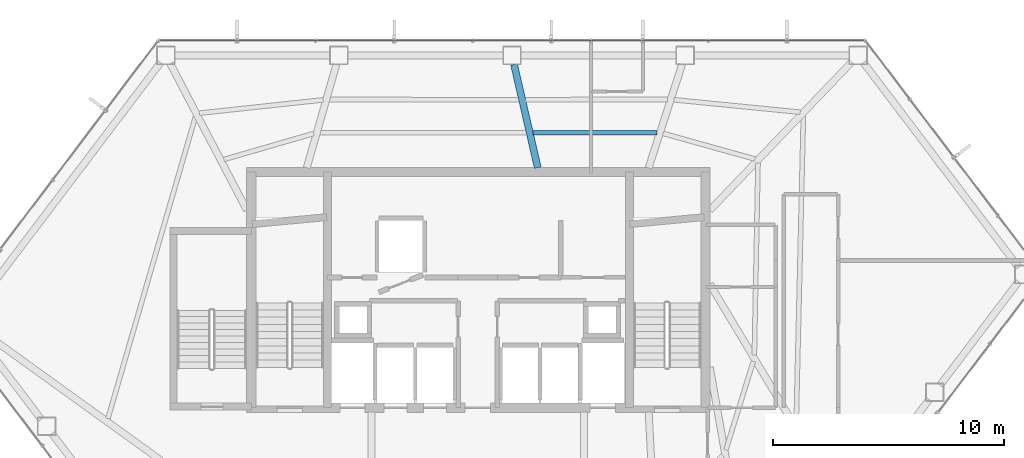
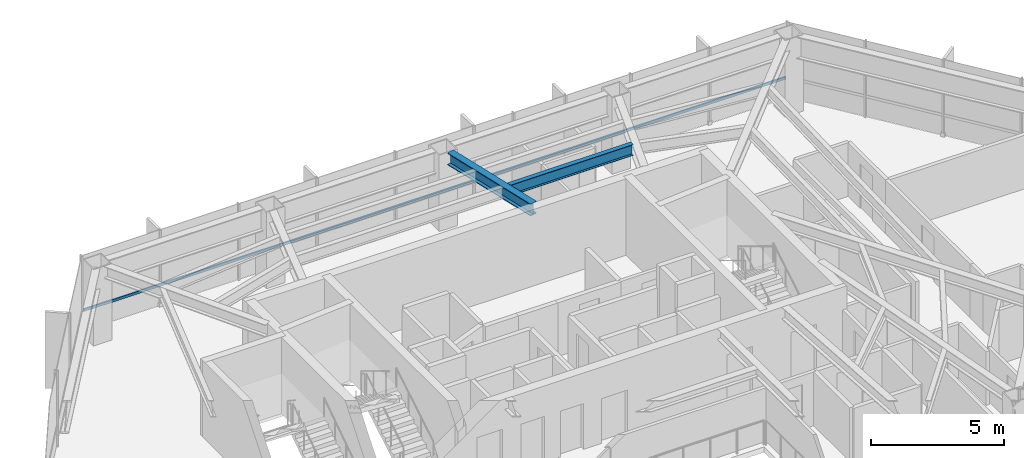
# One storey, part 15 of 29: 2 beams, 1 member, 1 element without a shape of its own.
"""IFC4 building model written with IfcOpenShell, lengths in metres."""

from ifc_helpers import new_model, si_unit, direction, frame, origin, origin_2d, place, context, subcontext, project, spatial, hollow_rectangle, i_section, extrude, material, layer, layer_set, material_profile, profile_set, type_object, element, aggregate, save


model = new_model("IFC4")

# Units and contexts
model_context = context("Model", 3, precision=1e-05, world=origin(), true_north=direction((0.0, 1.0)))
body_context = subcontext(model_context, "Body", "Model", "MODEL_VIEW")
ifc_project = project(units=[si_unit("LENGTHUNIT", "METRE"), si_unit("AREAUNIT", "SQUARE_METRE"), si_unit("VOLUMEUNIT", "CUBIC_METRE"), si_unit("PLANEANGLEUNIT", "RADIAN"), si_unit("MASSUNIT", "GRAM", prefix="KILO")], contexts=[model_context])

# Site, building, storey
site_placement = place(None, origin())
site = spatial("IfcSite", under=ifc_project, at=site_placement, CompositionType="ELEMENT")
building_placement = place(site_placement, origin())
building = spatial("IfcBuilding", under=site, at=building_placement, Name="Zarrinselat Tower", CompositionType="ELEMENT")
storey_placement = place(building_placement, frame((0.0, 0.0, 138.3798828125)))
storey = spatial("IfcBuildingStorey", under=building, at=storey_placement, Name="L33", CompositionType="ELEMENT", Elevation=138.3798828125)

# Beams
ifc_material_1 = material(Name="Steel S355J2", Category="steel")
ifc_material_profile_1 = material_profile(ifc_material_1, i_section(OverallWidth=0.300048828125, OverallDepth=0.550048828125, WebThickness=0.014892578125, FlangeThickness=0.029052734375, at=origin_2d()), Name="HEB 550")
ifc_profile_set_1 = profile_set([ifc_material_profile_1], Name="Steel S355J2")
beam_type_1 = type_object("IfcBeamType", Name="BM-HEB550", PredefinedType="BEAM", material=ifc_profile_set_1)
beam_1_placement = place(storey_placement, frame((39.974609375, 48.108154296875, 3.22509765625), z_axis=(0.223669189107, -0.97466511882, 0.0), x_axis=(0.97466511882, 0.223669189107, 0.0)))
element("IfcBeam", 1, at=beam_1_placement, inside=storey, type_object=beam_type_1, Name="L33 Radial Primary Girder RG03", PredefinedType="BEAM", context=body_context, shape_type="SweptSolid", body=[
    extrude(i_section(OverallWidth=0.300048828125, OverallDepth=0.550048828125, WebThickness=0.014892578125, FlangeThickness=0.029052734375, at=origin_2d()), origin(), (0.0, 0.0, 1.0), 4.58447265625),
])
ifc_material_2 = material(Name="Steel S355J2", Category="steel")
ifc_material_profile_2 = material_profile(ifc_material_2, i_section(OverallWidth=0.199951171875, OverallDepth=0.5, WebThickness=0.01025390625, FlangeThickness=0.01611328125, at=origin_2d()), Name="IPE 500")
ifc_profile_set_2 = profile_set([ifc_material_profile_2], Name="Steel S355J2")
beam_type_2 = type_object("IfcBeamType", Name="BM-IPE500", PredefinedType="JOIST", material=ifc_profile_set_2)
beam_2_placement = place(storey_placement, frame((40.79150390625, 45.1591796875, 3.25), z_axis=(0.999999824809, 0.000591931414, 0.0), x_axis=(-0.000591931414, 0.999999824809, 0.0)))
element("IfcBeam", 2, at=beam_2_placement, inside=storey, type_object=beam_type_2, Name="L33 Composite Floor Joist 7-2", PredefinedType="JOIST", context=body_context, shape_type="SweptSolid", body=[
    extrude(i_section(OverallWidth=0.199951171875, OverallDepth=0.5, WebThickness=0.01025390625, FlangeThickness=0.01611328125, at=origin_2d()), origin(), (0.0, 0.0, 1.0), 5.36181640625),
])

# Curtain wall, member
ifc_material_3 = material(Name="Extruded Aluminium Alloy EN AW-6063 T6", Category="aluminium")
ifc_layer = layer(ifc_material_3, 0.175048828125)
ifc_layer_set = layer_set([ifc_layer], Name="Extruded Aluminium Alloy EN AW-6063 T6")
curtain_wall_type = type_object("IfcCurtainWallType", Name="CWS-HTL", PredefinedType="NOTDEFINED", material=ifc_layer_set)
curtain_wall_placement = place(storey_placement, origin())
curtain_wall = element("IfcCurtainWall", 3, at=curtain_wall_placement, inside=storey, type_object=curtain_wall_type, Name="L33 Unitised Curtain Wall CW-L33-E01", PredefinedType="NOTDEFINED")
ifc_material_4 = material(Name="Extruded Aluminium Alloy EN AW-6063 T6", Category="aluminium")
ifc_material_profile_3 = material_profile(ifc_material_4, hollow_rectangle(XDim=0.06005859375, YDim=0.1201171875, WallThickness=0.00390625, at=origin_2d()), Name="RHS 120x60x4")
ifc_profile_set_3 = profile_set([ifc_material_profile_3], Name="Extruded Aluminium Alloy EN AW-6063 T6")
member_type = type_object("IfcMemberType", Name="MEM-CW-TRN2", PredefinedType="USERDEFINED", material=ifc_profile_set_3)
member_placement = place(storey_placement, frame((55.097900390625, 49.14990234375, 0.9501953125), z_axis=(-1.0, 0.0, 0.0), x_axis=(0.0, -1.0, 0.0)))
member = element("IfcMember", 4, at=member_placement, type_object=member_type, Name="CW-L33-E01 Transom 1", ObjectType="TRANSOM", PredefinedType="USERDEFINED", context=body_context, shape_type="SweptSolid", body=[
    extrude(hollow_rectangle(XDim=0.06005859375, YDim=0.1201171875, WallThickness=0.00390625, at=origin_2d()), origin(), (0.0, 0.0, 1.0), 30.426513671875),
])
aggregate(curtain_wall, [member])

save(model, "model.ifc")
